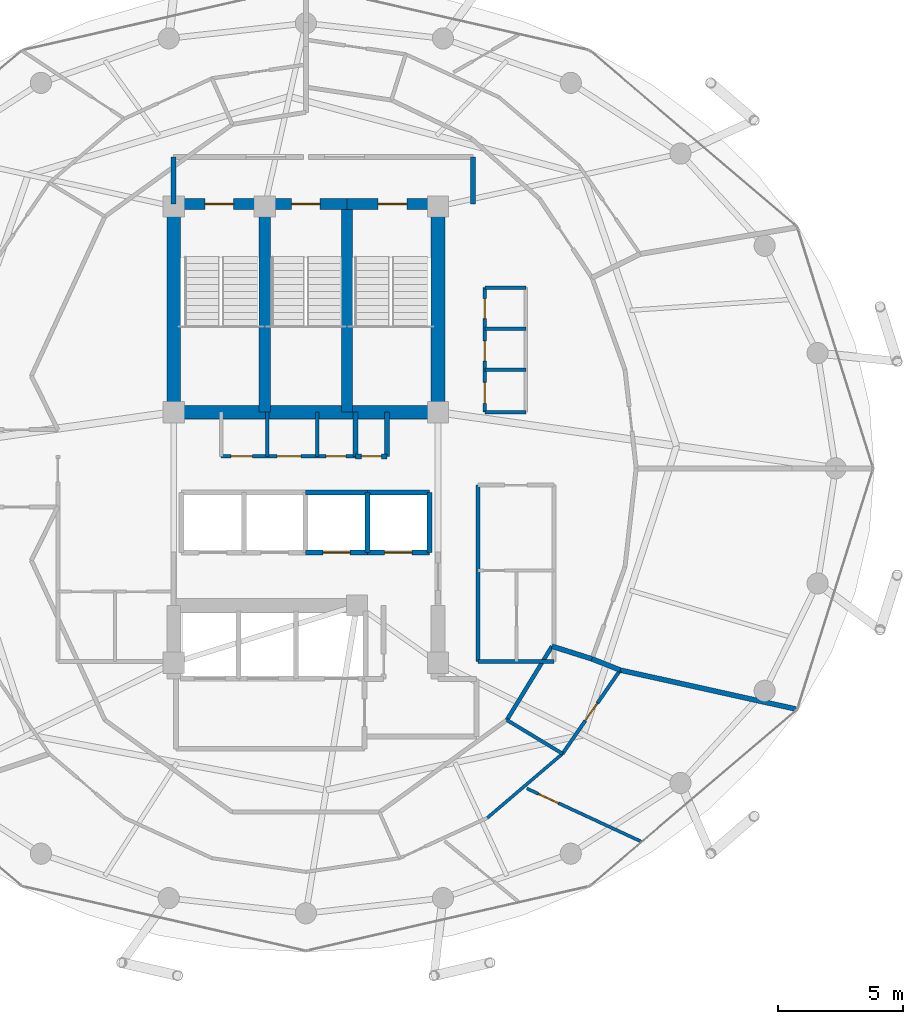
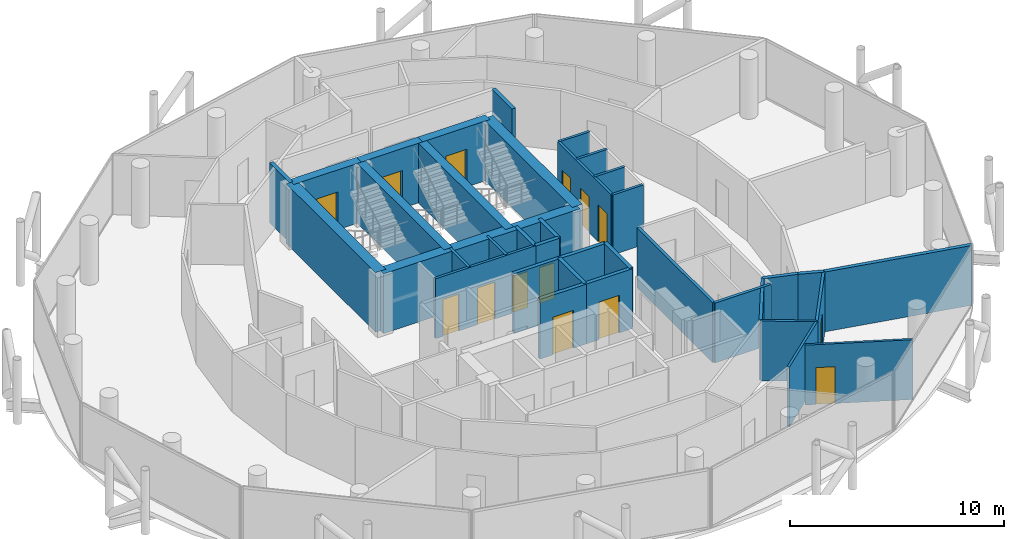
# One storey, part 24 of 27: 37 walls, 14 doors, 14 openings.
"""IFC4 building model written with IfcOpenShell, lengths in metres."""

from ifc_helpers import new_model, si_unit, direction, frame, frame_2d, origin, place, context, subcontext, project, spatial, rectangle, extrude, material, layer, layer_set, type_object, element, fill, save


model = new_model("IFC4")

# Units and contexts
model_context = context("Model", 3, precision=1e-05, world=origin(), true_north=direction((0.0, 1.0)))
body_context = subcontext(model_context, "Body", "Model", "MODEL_VIEW")
ifc_project = project(units=[si_unit("LENGTHUNIT", "METRE"), si_unit("AREAUNIT", "SQUARE_METRE"), si_unit("VOLUMEUNIT", "CUBIC_METRE"), si_unit("PLANEANGLEUNIT", "RADIAN"), si_unit("MASSUNIT", "GRAM", prefix="KILO")], contexts=[model_context])

# Site, building, storey
site_placement = place(None, origin())
site = spatial("IfcSite", under=ifc_project, at=site_placement, CompositionType="ELEMENT")
building_placement = place(site_placement, origin())
building = spatial("IfcBuilding", under=site, at=building_placement, Name="Nuhasar Tower", CompositionType="ELEMENT")
storey_placement = place(building_placement, frame((0.0, 0.0, 237.35009765625)))
storey = spatial("IfcBuildingStorey", under=building, at=storey_placement, Name="L58", CompositionType="ELEMENT", Elevation=237.35009765625)

# Wall, opening, door
ifc_material_1 = material(Name="Concrete C50/60", Category="concrete")
ifc_layer_1 = layer(ifc_material_1, 0.449951171875)
ifc_layer_set_1 = layer_set([ifc_layer_1], Name="Concrete C50/60")
wall_type_1 = type_object("IfcWallType", Name="WL-CORE-450", PredefinedType="SHEAR", material=ifc_layer_set_1)
wall_1_placement = place(storey_placement, frame((37.35009765625, 37.39990234375, 0.0), z_axis=(0.0, 0.0, 1.0), x_axis=(-1.0, 0.0, 0.0)))
wall_1 = element("IfcWall", 1, at=wall_1_placement, inside=storey, type_object=wall_type_1, Name="L58 Stairwell Shear Wall ST01-N", PredefinedType="SHEAR", context=body_context, shape_type="SweptSolid", body=[
    extrude(rectangle(XDim=3.650146484375, YDim=0.449951171875, at=frame_2d((1.8251953125, 0.0))), origin(), (0.0, 0.0, 1.0), 3.409912109375),
])
opening_1_placement = place(wall_1_placement, frame((1.25, 0.0, 0.0)))
opening_1 = element("IfcOpeningElement", 2, at=opening_1_placement, cuts=wall_1, Name="Opening DS-01", PredefinedType="OPENING", context=body_context, shape_type="SweptSolid", body=[
    extrude(rectangle(XDim=1.14990234375, YDim=2.14990234375, at=frame_2d((0.574951171875, 1.074951171875))), frame((0.0, 0.23486328125, 0.0), z_axis=(0.0, -1.0, 0.0), x_axis=(1.0, 0.0, 0.0)), (0.0, 0.0, 1.0), 0.469970703125),
])
ifc_material_2 = material(Name="Steel S355", Category="steel")
door_type_1 = type_object("IfcDoorType", Name="DR-STAIR-FD120-1150", OperationType="NOTDEFINED", PredefinedType="DOOR", material=ifc_material_2)
door_1_placement = place(opening_1_placement, origin())
door_1 = element("IfcDoor", 3, at=door_1_placement, inside=storey, type_object=door_type_1, Name="L58 Exit Stair ST-01 Door", OperationType="SINGLE_SWING_RIGHT", OverallHeight=2.14990234375, OverallWidth=1.14990234375, PredefinedType="DOOR", context=body_context, shape_type="SweptSolid", body=[
    extrude(rectangle(XDim=1.14990234375, YDim=2.14990234375, at=frame_2d((0.574951171875, 1.074951171875))), frame((0.0, 0.02490234375, 0.0), z_axis=(0.0, -1.0, 0.0), x_axis=(1.0, 0.0, 0.0)), (0.0, 0.0, 1.0), 0.050048828125),
])
fill(opening_1, door_1)

# Wall
wall_2_placement = place(storey_placement, frame((37.35009765625, 29.050048828125, 0.0), z_axis=(0.0, 0.0, 1.0), x_axis=(0.0, 1.0, 0.0)))
element("IfcWall", 4, at=wall_2_placement, inside=storey, type_object=wall_type_1, Name="L58 Stairwell Shear Wall ST01-E", PredefinedType="SHEAR", context=body_context, shape_type="SweptSolid", body=[
    extrude(rectangle(XDim=8.349853515625, YDim=0.449951171875, at=frame_2d((4.1748046875, 0.0))), origin(), (0.0, 0.0, 1.0), 3.409912109375),
])

# Wall, opening, door
wall_3_placement = place(storey_placement, frame((40.64990234375, 37.39990234375, 0.0), z_axis=(0.0, 0.0, 1.0), x_axis=(-1.0, 0.0, 0.0)))
wall_3 = element("IfcWall", 5, at=wall_3_placement, inside=storey, type_object=wall_type_1, Name="L58 Stairwell Shear Wall ST03-N", PredefinedType="SHEAR", context=body_context, shape_type="SweptSolid", body=[
    extrude(rectangle(XDim=3.2998046875, YDim=0.449951171875, at=frame_2d((1.64990234375, 0.0))), origin(), (0.0, 0.0, 1.0), 3.409912109375),
])
opening_2_placement = place(wall_3_placement, frame((1.074951171875, 0.0, 0.0)))
opening_2 = element("IfcOpeningElement", 6, at=opening_2_placement, cuts=wall_3, Name="Opening DS-01", PredefinedType="OPENING", context=body_context, shape_type="SweptSolid", body=[
    extrude(rectangle(XDim=1.14990234375, YDim=2.14990234375, at=frame_2d((0.574951171875, 1.074951171875))), frame((0.0, 0.23486328125, 0.0), z_axis=(0.0, -1.0, 0.0), x_axis=(1.0, 0.0, 0.0)), (0.0, 0.0, 1.0), 0.469970703125),
])
door_2_placement = place(opening_2_placement, origin())
door_2 = element("IfcDoor", 7, at=door_2_placement, inside=storey, type_object=door_type_1, Name="L58 Exit Stair ST-03 Door", OperationType="SINGLE_SWING_RIGHT", OverallHeight=2.14990234375, OverallWidth=1.14990234375, PredefinedType="DOOR", context=body_context, shape_type="SweptSolid", body=[
    extrude(rectangle(XDim=1.14990234375, YDim=2.14990234375, at=frame_2d((0.574951171875, 1.074951171875))), frame((0.0, 0.02490234375, 0.0), z_axis=(0.0, -1.0, 0.0), x_axis=(1.0, 0.0, 0.0)), (0.0, 0.0, 1.0), 0.050048828125),
])
fill(opening_2, door_2)

# Wall
wall_4_placement = place(storey_placement, frame((40.64990234375, 29.050048828125, 0.0), z_axis=(0.0, 0.0, 1.0), x_axis=(0.0, 1.0, 0.0)))
element("IfcWall", 8, at=wall_4_placement, inside=storey, type_object=wall_type_1, Name="L58 Stairwell Shear Wall ST03-E", PredefinedType="SHEAR", context=body_context, shape_type="SweptSolid", body=[
    extrude(rectangle(XDim=8.349853515625, YDim=0.449951171875, at=frame_2d((4.1748046875, 0.0))), origin(), (0.0, 0.0, 1.0), 3.409912109375),
])

# Wall, opening, door
wall_5_placement = place(storey_placement, frame((44.300048828125, 37.39990234375, 0.0), z_axis=(0.0, 0.0, 1.0), x_axis=(-1.0, 0.0, 0.0)))
wall_5 = element("IfcWall", 9, at=wall_5_placement, inside=storey, type_object=wall_type_1, Name="L58 Stairwell Shear Wall ST02-N", PredefinedType="SHEAR", context=body_context, shape_type="SweptSolid", body=[
    extrude(rectangle(XDim=3.650146484375, YDim=0.449951171875, at=frame_2d((1.8251953125, 0.0))), origin(), (0.0, 0.0, 1.0), 3.409912109375),
])
opening_3_placement = place(wall_5_placement, frame((1.25, 0.0, 0.0)))
opening_3 = element("IfcOpeningElement", 10, at=opening_3_placement, cuts=wall_5, Name="Opening DS-01", PredefinedType="OPENING", context=body_context, shape_type="SweptSolid", body=[
    extrude(rectangle(XDim=1.14990234375, YDim=2.14990234375, at=frame_2d((0.574951171875, 1.074951171875))), frame((0.0, 0.23486328125, 0.0), z_axis=(0.0, -1.0, 0.0), x_axis=(1.0, 0.0, 0.0)), (0.0, 0.0, 1.0), 0.469970703125),
])
door_3_placement = place(opening_3_placement, origin())
door_3 = element("IfcDoor", 11, at=door_3_placement, inside=storey, type_object=door_type_1, Name="L58 Exit Stair ST-02 Door", OperationType="SINGLE_SWING_LEFT", OverallHeight=2.14990234375, OverallWidth=1.14990234375, PredefinedType="DOOR", context=body_context, shape_type="SweptSolid", body=[
    extrude(rectangle(XDim=1.14990234375, YDim=2.14990234375, at=frame_2d((0.574951171875, 1.074951171875))), frame((0.0, 0.02490234375, 0.0), z_axis=(0.0, -1.0, 0.0), x_axis=(1.0, 0.0, 0.0)), (0.0, 0.0, 1.0), 0.050048828125),
])
fill(opening_3, door_3)

# Walls
ifc_material_3 = material(Name="Concrete C55/67", Category="concrete")
ifc_layer_2 = layer(ifc_material_3, 0.550048828125)
ifc_layer_set_2 = layer_set([ifc_layer_2], Name="Concrete C55/67")
wall_type_2 = type_object("IfcWallType", Name="WL-CORE-550", PredefinedType="SHEAR", material=ifc_layer_set_2)
for number, where, z_axis, x_axis, name in (
    (12, (33.699951171875, 29.050048828125, 0.0), (0.0, 0.0, 1.0), (0.0, 1.0, 0.0), "L58 Core Shear Wall CW-NW CW-550"),
    (13, (44.300048828125, 29.050048828125, 0.0), (0.0, 0.0, 1.0), (0.0, 1.0, 0.0), "L58 Core Shear Wall CW-NE CW-550"),
):
    element("IfcWall", number, at=place(storey_placement, frame(where, z_axis=z_axis, x_axis=x_axis)), inside=storey, type_object=wall_type_2, Name=name, PredefinedType="SHEAR", context=body_context, shape_type="SweptSolid", body=[
        extrude(rectangle(XDim=8.349853515625, YDim=0.550048828125, at=frame_2d((4.1748046875, 0.0))), origin(), (0.0, 0.0, 1.0), 3.409912109375),
    ])
wall_6_placement = place(storey_placement, frame((33.699951171875, 29.050048828125, 0.0), z_axis=(0.0, 0.0, 1.0), x_axis=(1.0, 0.0, 0.0)))
element("IfcWall", 14, at=wall_6_placement, inside=storey, type_object=wall_type_2, Name="L58 Core Shear Wall CW-N1 CW-550", PredefinedType="SHEAR", context=body_context, shape_type="SweptSolid", body=[
    extrude(rectangle(XDim=10.60009765625, YDim=0.550048828125, at=frame_2d((5.300048828125, 0.0))), origin(), (0.0, 0.0, 1.0), 3.409912109375),
])
ifc_material_4 = material(Name="Gypsum Board", Category="gypsum")
ifc_layer_3 = layer(ifc_material_4, 0.159912109375)
ifc_layer_set_3 = layer_set([ifc_layer_3], Name="Gypsum Board")
wall_type_3 = type_object("IfcWallType", Name="WL-CORR-160", PredefinedType="PARTITIONING", material=ifc_layer_set_3)
wall_7_placement = place(storey_placement, frame((45.89990234375, 19.050048828125, 0.0), z_axis=(0.0, 0.0, 1.0), x_axis=(1.0, 0.0, 0.0)))
element("IfcWall", 15, at=wall_7_placement, inside=storey, type_object=wall_type_3, Name="L58 Interior Partition RECL-B2-S", PredefinedType="PARTITIONING", context=body_context, shape_type="SweptSolid", body=[
    extrude(rectangle(XDim=3.050048828125, YDim=0.159912109375, at=frame_2d((1.52490234375, 0.0))), origin(), (0.0, 0.0, 1.0), 3.409912109375),
])
wall_8_placement = place(storey_placement, frame((45.89990234375, 19.050048828125, 0.0), z_axis=(0.0, 0.0, 1.0), x_axis=(0.0, 1.0, 0.0)))
element("IfcWall", 16, at=wall_8_placement, inside=storey, type_object=wall_type_3, Name="L58 Interior Partition RECL-B2-W", PredefinedType="PARTITIONING", context=body_context, shape_type="SweptSolid", body=[
    extrude(rectangle(XDim=7.070068359375, YDim=0.159912109375, at=frame_2d((3.53515625, 0.0))), origin(), (0.0, 0.0, 1.0), 3.409912109375),
])
wall_9_placement = place(storey_placement, frame((47.06103515625, 16.702880859375, 0.0), z_axis=(0.0, 0.0, 1.0), x_axis=(0.522486120877, 0.852647789823, 0.0)))
element("IfcWall", 17, at=wall_9_placement, inside=storey, type_object=wall_type_3, Name="L58 Interior Partition UWEST-CORE-S2-42", PredefinedType="PARTITIONING", context=body_context, shape_type="SweptSolid", body=[
    extrude(rectangle(XDim=3.468017578125, YDim=0.159912109375, at=frame_2d((1.73388671875, 0.0))), origin(), (0.0, 0.0, 1.0), 3.409912109375),
])
ifc_material_5 = material(Name="Concrete C45/55", Category="concrete")
ifc_layer_4 = layer(ifc_material_5, 0.199951171875)
ifc_layer_set_4 = layer_set([ifc_layer_4], Name="Concrete C45/55")
wall_type_4 = type_object("IfcWallType", Name="WL-LOBBY-200", PredefinedType="SOLIDWALL", material=ifc_layer_set_4)
for number, where, z_axis, x_axis, name in (
    (18, (33.699951171875, 37.39990234375, 0.0), (0.0, 0.0, 1.0), (0.0, 1.0, 0.0), "L58 Interior Partition NSL-W"),
    (19, (45.699951171875, 37.39990234375, 0.0), (0.0, 0.0, 1.0), (0.0, 1.0, 0.0), "L58 Interior Partition NSL-E"),
):
    element("IfcWall", number, at=place(storey_placement, frame(where, z_axis=z_axis, x_axis=x_axis)), inside=storey, type_object=wall_type_4, Name=name, PredefinedType="SOLIDWALL", context=body_context, shape_type="SweptSolid", body=[
        extrude(rectangle(XDim=1.880126953125, YDim=0.199951171875, at=frame_2d((0.93994140625, 0.0))), origin(), (0.0, 0.0, 1.0), 3.409912109375),
    ])
ifc_layer_5 = layer(ifc_material_4, 0.125)
ifc_layer_set_5 = layer_set([ifc_layer_5], Name="Gypsum Board")
wall_type_5 = type_object("IfcWallType", Name="WL-PART-125", PredefinedType="PARTITIONING", material=ifc_layer_set_5)
wall_10_placement = place(storey_placement, frame((46.280029296875, 12.779052734375, 0.0), z_axis=(0.0, 0.0, 1.0), x_axis=(0.760650552049, 0.64916156515, 0.0)))
element("IfcWall", 20, at=wall_10_placement, inside=storey, type_object=wall_type_5, Name="L58 Interior Partition USM-2-K-40", PredefinedType="PARTITIONING", context=body_context, shape_type="SweptSolid", body=[
    extrude(rectangle(XDim=3.963623046875, YDim=0.125, at=frame_2d((1.98193359375, 0.0))), origin(), (0.0, 0.0, 1.0), 3.409912109375),
])

# Wall, opening, door
wall_11_placement = place(storey_placement, frame((47.864013671875, 13.9560546875, 0.0), z_axis=(0.0, 0.0, 1.0), x_axis=(0.907116504573, -0.420879611209, 0.0)))
wall_11 = element("IfcWall", 21, at=wall_11_placement, inside=storey, type_object=wall_type_5, Name="L58 Interior Partition USO-2-B2", PredefinedType="PARTITIONING", context=body_context, shape_type="SweptSolid", body=[
    extrude(rectangle(XDim=5.046630859375, YDim=0.125, at=frame_2d((2.5234375, 0.0))), origin(), (0.0, 0.0, 1.0), 3.409912109375),
])
opening_4_placement = place(wall_11_placement, frame((0.50390625, 0.0, 0.0)))
opening_4 = element("IfcOpeningElement", 22, at=opening_4_placement, cuts=wall_11, Name="Opening DR-01", PredefinedType="OPENING", context=body_context, shape_type="SweptSolid", body=[
    extrude(rectangle(XDim=0.89990234375, YDim=2.10009765625, at=frame_2d((0.449951171875, 1.050048828125))), frame((0.0, 0.072509765625, 0.0), z_axis=(0.0, -1.0, 0.0), x_axis=(1.0, 0.0, 0.0)), (0.0, 0.0, 1.0), 0.14501953125),
])
ifc_material_6 = material(Name="Timber Oak", Category="wood")
door_type_2 = type_object("IfcDoorType", Name="DR-ROOM-900", OperationType="NOTDEFINED", PredefinedType="DOOR", material=ifc_material_6)
door_4_placement = place(opening_4_placement, origin())
door_4 = element("IfcDoor", 23, at=door_4_placement, inside=storey, type_object=door_type_2, Name="L58 South-West Sky Home Master Bedroom Door", OperationType="SINGLE_SWING_LEFT", OverallHeight=2.10009765625, OverallWidth=0.89990234375, PredefinedType="DOOR", context=body_context, shape_type="SweptSolid", body=[
    extrude(rectangle(XDim=0.89990234375, YDim=2.10009765625, at=frame_2d((0.449951171875, 1.050048828125))), frame((0.0, 0.02490234375, 0.0), z_axis=(0.0, -1.0, 0.0), x_axis=(1.0, 0.0, 0.0)), (0.0, 0.0, 1.0), 0.050048828125),
])
fill(opening_4, door_4)

# Walls
ifc_layer_6 = layer(ifc_material_5, 0.199951171875)
ifc_layer_set_6 = layer_set([ifc_layer_6], Name="Concrete C45/55")
wall_type_6 = type_object("IfcWallType", Name="WL-SHAFT-200", PredefinedType="SOLIDWALL", material=ifc_layer_set_6)
for number, where, z_axis, x_axis, name in (
    (24, (41.0, 27.280029296875, 0.0), (0.0, 0.0, 1.0), (0.0, 1.0, 0.0), "L58 Interior Partition RSRN-W"),
    (25, (42.260009765625, 27.280029296875, 0.0), (0.0, 0.0, 1.0), (0.0, 1.0, 0.0), "L58 Interior Partition RSRN-E"),
):
    element("IfcWall", number, at=place(storey_placement, frame(where, z_axis=z_axis, x_axis=x_axis)), inside=storey, type_object=wall_type_6, Name=name, PredefinedType="SOLIDWALL", context=body_context, shape_type="SweptSolid", body=[
        extrude(rectangle(XDim=1.77001953125, YDim=0.199951171875, at=frame_2d((0.885009765625, 0.0))), origin(), (0.0, 0.0, 1.0), 3.409912109375),
    ])

# Wall, opening, door
wall_12_placement = place(storey_placement, frame((41.0, 27.280029296875, 0.0), z_axis=(0.0, 0.0, 1.0), x_axis=(1.0, 0.0, 0.0)))
wall_12 = element("IfcWall", 26, at=wall_12_placement, inside=storey, type_object=wall_type_6, Name="L58 Interior Partition RSRN-S", PredefinedType="SOLIDWALL", context=body_context, shape_type="SweptSolid", body=[
    extrude(rectangle(XDim=1.260009765625, YDim=0.199951171875, at=frame_2d((0.6298828125, 0.0))), origin(), (0.0, 0.0, 1.0), 3.409912109375),
])
opening_5_placement = place(wall_12_placement, frame((0.22998046875, 0.0, 0.0)))
opening_5 = element("IfcOpeningElement", 27, at=opening_5_placement, cuts=wall_12, Name="Opening DM-01", PredefinedType="OPENING", context=body_context, shape_type="SweptSolid", body=[
    extrude(rectangle(XDim=0.800048828125, YDim=2.050048828125, at=frame_2d((0.39990234375, 1.02490234375))), frame((0.0, 0.10986328125, 0.0), z_axis=(0.0, -1.0, 0.0), x_axis=(1.0, 0.0, 0.0)), (0.0, 0.0, 1.0), 0.219970703125),
])
door_type_3 = type_object("IfcDoorType", Name="DR-RISER-FD60-800", OperationType="NOTDEFINED", PredefinedType="DOOR", material=ifc_material_2)
door_5_placement = place(opening_5_placement, origin())
door_5 = element("IfcDoor", 28, at=door_5_placement, inside=storey, type_object=door_type_3, Name="L58 North Smoke Riser Door", OperationType="SINGLE_SWING_RIGHT", OverallHeight=2.050048828125, OverallWidth=0.800048828125, PredefinedType="DOOR", context=body_context, shape_type="SweptSolid", body=[
    extrude(rectangle(XDim=0.800048828125, YDim=2.050048828125, at=frame_2d((0.39990234375, 1.02490234375))), frame((0.0, 0.02490234375, 0.0), z_axis=(0.0, -1.0, 0.0), x_axis=(1.0, 0.0, 0.0)), (0.0, 0.0, 1.0), 0.050048828125),
])
fill(opening_5, door_5)

wall_13_placement = place(storey_placement, frame((38.97998046875, 23.419921875, 0.0), z_axis=(0.0, 0.0, 1.0), x_axis=(1.0, 0.0, 0.0)))
wall_13 = element("IfcWall", 29, at=wall_13_placement, inside=storey, type_object=wall_type_6, Name="L58 Interior Partition SHF-PL-H03-S", PredefinedType="SOLIDWALL", context=body_context, shape_type="SweptSolid", body=[
    extrude(rectangle(XDim=2.5, YDim=0.199951171875, at=frame_2d((1.25, 0.0))), origin(), (0.0, 0.0, 1.0), 3.409912109375),
])
opening_6_placement = place(wall_13_placement, frame((0.699951171875, 0.0, 0.0)))
opening_6 = element("IfcOpeningElement", 30, at=opening_6_placement, cuts=wall_13, Name="Opening LD-H03", PredefinedType="OPENING", context=body_context, shape_type="SweptSolid", body=[
    extrude(rectangle(XDim=1.10009765625, YDim=2.14990234375, at=frame_2d((0.550048828125, 1.074951171875))), frame((0.0, 0.10986328125, 0.0), z_axis=(0.0, -1.0, 0.0), x_axis=(1.0, 0.0, 0.0)), (0.0, 0.0, 1.0), 0.219970703125),
])
ifc_material_7 = material(Name="Stainless Steel 316L", Category="steel")
door_type_4 = type_object("IfcDoorType", Name="LD-PAX-1100", OperationType="DOUBLE_DOOR_SLIDING", PredefinedType="DOOR", material=ifc_material_7)
door_6_placement = place(opening_6_placement, origin())
door_6 = element("IfcDoor", 31, at=door_6_placement, inside=storey, type_object=door_type_4, Name="L58 Lift Landing Door PL-H03", OperationType="DOUBLE_DOOR_SLIDING", OverallHeight=2.14990234375, OverallWidth=1.10009765625, PredefinedType="DOOR", context=body_context, shape_type="SweptSolid", body=[
    extrude(rectangle(XDim=1.10009765625, YDim=2.14990234375, at=frame_2d((0.550048828125, 1.074951171875))), frame((0.0, 0.02490234375, 0.0), z_axis=(0.0, -1.0, 0.0), x_axis=(1.0, 0.0, 0.0)), (0.0, 0.0, 1.0), 0.050048828125),
])
fill(opening_6, door_6)

# Walls
wall_14_placement = place(storey_placement, frame((38.97998046875, 25.830078125, 0.0), z_axis=(0.0, 0.0, 1.0), x_axis=(1.0, 0.0, 0.0)))
element("IfcWall", 32, at=wall_14_placement, inside=storey, type_object=wall_type_6, Name="L58 Interior Partition SHF-PL-H03-N", PredefinedType="SOLIDWALL", context=body_context, shape_type="SweptSolid", body=[
    extrude(rectangle(XDim=2.5, YDim=0.199951171875, at=frame_2d((1.25, 0.0))), origin(), (0.0, 0.0, 1.0), 3.409912109375),
])
wall_15_placement = place(storey_placement, frame((41.469970703125, 23.419921875, 0.0), z_axis=(0.0, 0.0, 1.0), x_axis=(0.0, 1.0, 0.0)))
element("IfcWall", 33, at=wall_15_placement, inside=storey, type_object=wall_type_6, Name="L58 Interior Partition SHF-PL-H03-E", PredefinedType="SOLIDWALL", context=body_context, shape_type="SweptSolid", body=[
    extrude(rectangle(XDim=2.41015625, YDim=0.199951171875, at=frame_2d((1.205078125, 0.0))), origin(), (0.0, 0.0, 1.0), 3.409912109375),
])

# Wall, opening, door
wall_16_placement = place(storey_placement, frame((41.4599609375, 23.419921875, 0.0), z_axis=(0.0, 0.0, 1.0), x_axis=(1.0, 0.0, 0.0)))
wall_16 = element("IfcWall", 34, at=wall_16_placement, inside=storey, type_object=wall_type_6, Name="L58 Interior Partition SHF-PL-H04-S", PredefinedType="SOLIDWALL", context=body_context, shape_type="SweptSolid", body=[
    extrude(rectangle(XDim=2.5, YDim=0.199951171875, at=frame_2d((1.25, 0.0))), origin(), (0.0, 0.0, 1.0), 3.409912109375),
])
opening_7_placement = place(wall_16_placement, frame((0.699951171875, 0.0, 0.0)))
opening_7 = element("IfcOpeningElement", 35, at=opening_7_placement, cuts=wall_16, Name="Opening LD-H04", PredefinedType="OPENING", context=body_context, shape_type="SweptSolid", body=[
    extrude(rectangle(XDim=1.10009765625, YDim=2.14990234375, at=frame_2d((0.550048828125, 1.074951171875))), frame((0.0, 0.10986328125, 0.0), z_axis=(0.0, -1.0, 0.0), x_axis=(1.0, 0.0, 0.0)), (0.0, 0.0, 1.0), 0.219970703125),
])
door_7_placement = place(opening_7_placement, origin())
door_7 = element("IfcDoor", 36, at=door_7_placement, inside=storey, type_object=door_type_4, Name="L58 Lift Landing Door PL-H04", OperationType="DOUBLE_DOOR_SLIDING", OverallHeight=2.14990234375, OverallWidth=1.10009765625, PredefinedType="DOOR", context=body_context, shape_type="SweptSolid", body=[
    extrude(rectangle(XDim=1.10009765625, YDim=2.14990234375, at=frame_2d((0.550048828125, 1.074951171875))), frame((0.0, 0.02490234375, 0.0), z_axis=(0.0, -1.0, 0.0), x_axis=(1.0, 0.0, 0.0)), (0.0, 0.0, 1.0), 0.050048828125),
])
fill(opening_7, door_7)

# Walls
wall_17_placement = place(storey_placement, frame((41.4599609375, 25.830078125, 0.0), z_axis=(0.0, 0.0, 1.0), x_axis=(1.0, 0.0, 0.0)))
element("IfcWall", 37, at=wall_17_placement, inside=storey, type_object=wall_type_6, Name="L58 Interior Partition SHF-PL-H04-N", PredefinedType="SOLIDWALL", context=body_context, shape_type="SweptSolid", body=[
    extrude(rectangle(XDim=2.5, YDim=0.199951171875, at=frame_2d((1.25, 0.0))), origin(), (0.0, 0.0, 1.0), 3.409912109375),
])
wall_18_placement = place(storey_placement, frame((43.9599609375, 23.419921875, 0.0), z_axis=(0.0, 0.0, 1.0), x_axis=(0.0, 1.0, 0.0)))
element("IfcWall", 38, at=wall_18_placement, inside=storey, type_object=wall_type_6, Name="L58 Interior Partition SHF-PL-H04-E", PredefinedType="SOLIDWALL", context=body_context, shape_type="SweptSolid", body=[
    extrude(rectangle(XDim=2.41015625, YDim=0.199951171875, at=frame_2d((1.205078125, 0.0))), origin(), (0.0, 0.0, 1.0), 3.409912109375),
])
ifc_material_8 = material(Name="Concrete C40/50 precast", Category="concrete")
ifc_layer_7 = layer(ifc_material_8, 0.199951171875)
ifc_layer_set_7 = layer_set([ifc_layer_7], Name="Concrete C40/50 precast")
wall_type_7 = type_object("IfcWallType", Name="WL-UNIT-200", PredefinedType="PARTITIONING", material=ifc_layer_set_7)
wall_19_placement = place(storey_placement, frame((48.873046875, 19.659912109375, 0.0), z_axis=(0.0, 0.0, 1.0), x_axis=(0.953758235549, -0.30057482949, 0.0)))
element("IfcWall", 39, at=wall_19_placement, inside=storey, type_object=wall_type_7, Name="L58 Interior Partition URAD-44-SW-S1", PredefinedType="PARTITIONING", context=body_context, shape_type="SweptSolid", body=[
    extrude(rectangle(XDim=1.6796875, YDim=0.199951171875, at=frame_2d((0.83984375, 0.0))), origin(), (0.0, 0.0, 1.0), 3.409912109375),
])
wall_20_placement = place(storey_placement, frame((50.47509765625, 19.155029296875, 0.0), z_axis=(0.0, 0.0, 1.0), x_axis=(0.929480908275, -0.368870222642, 0.0)))
element("IfcWall", 40, at=wall_20_placement, inside=storey, type_object=wall_type_7, Name="L58 Interior Partition URAD-44-SW-S2", PredefinedType="PARTITIONING", context=body_context, shape_type="SweptSolid", body=[
    extrude(rectangle(XDim=1.2197265625, YDim=0.199951171875, at=frame_2d((0.60986328125, 0.0))), origin(), (0.0, 0.0, 1.0), 3.409912109375),
])
wall_21_placement = place(storey_placement, frame((51.60888671875, 18.705078125, 0.0), z_axis=(0.0, 0.0, 1.0), x_axis=(0.976281349857, -0.216505717989, 0.0)))
element("IfcWall", 41, at=wall_21_placement, inside=storey, type_object=wall_type_7, Name="L58 Interior Partition URAD-44-SW-S3", PredefinedType="PARTITIONING", context=body_context, shape_type="SweptSolid", body=[
    extrude(rectangle(XDim=7.242919921875, YDim=0.199951171875, at=frame_2d((3.62158203125, 0.0))), origin(), (0.0, 0.0, 1.0), 3.409912109375),
])

# Wall, openings, doors
ifc_layer_8 = layer(ifc_material_8, 0.139892578125)
ifc_layer_set_8 = layer_set([ifc_layer_8], Name="Concrete C40/50 precast")
wall_type_8 = type_object("IfcWallType", Name="WL-WET-140", PredefinedType="PARTITIONING", material=ifc_layer_set_8)
wall_22_placement = place(storey_placement, frame((35.60009765625, 27.280029296875, 0.0), z_axis=(0.0, 0.0, 1.0), x_axis=(1.0, 0.0, 0.0)))
wall_22 = element("IfcWall", 42, at=wall_22_placement, inside=storey, type_object=wall_type_8, Name="L58 Interior Partition CSVC-S", PredefinedType="PARTITIONING", context=body_context, shape_type="SweptSolid", body=[
    extrude(rectangle(XDim=5.39990234375, YDim=0.139892578125, at=frame_2d((2.699951171875, 0.0))), origin(), (0.0, 0.0, 1.0), 3.409912109375),
])
opening_8_placement = place(wall_22_placement, frame((0.39990234375, 0.0, 0.0)))
opening_8 = element("IfcOpeningElement", 43, at=opening_8_placement, cuts=wall_22, Name="Opening DB-01", PredefinedType="OPENING", context=body_context, shape_type="SweptSolid", body=[
    extrude(rectangle(XDim=0.85009765625, YDim=2.10009765625, at=frame_2d((0.425048828125, 1.050048828125))), frame((0.0, 0.080078125, 0.0), z_axis=(0.0, -1.0, 0.0), x_axis=(1.0, 0.0, 0.0)), (0.0, 0.0, 1.0), 0.159912109375),
])
opening_9_placement = place(wall_22_placement, frame((2.25, 0.0, 0.0)))
opening_9 = element("IfcOpeningElement", 44, at=opening_9_placement, cuts=wall_22, Name="Opening DA-01", PredefinedType="OPENING", context=body_context, shape_type="SweptSolid", body=[
    extrude(rectangle(XDim=0.949951171875, YDim=2.10009765625, at=frame_2d((0.47509765625, 1.050048828125))), frame((0.0, 0.080078125, 0.0), z_axis=(0.0, -1.0, 0.0), x_axis=(1.0, 0.0, 0.0)), (0.0, 0.0, 1.0), 0.159912109375),
])
opening_10_placement = place(wall_22_placement, frame((4.199951171875, 0.0, 0.0)))
opening_10 = element("IfcOpeningElement", 45, at=opening_10_placement, cuts=wall_22, Name="Opening DM-01", PredefinedType="OPENING", context=body_context, shape_type="SweptSolid", body=[
    extrude(rectangle(XDim=0.800048828125, YDim=2.050048828125, at=frame_2d((0.39990234375, 1.02490234375))), frame((0.0, 0.080078125, 0.0), z_axis=(0.0, -1.0, 0.0), x_axis=(1.0, 0.0, 0.0)), (0.0, 0.0, 1.0), 0.159912109375),
])
door_type_5 = type_object("IfcDoorType", Name="DR-ACCWC-950", OperationType="NOTDEFINED", PredefinedType="DOOR", material=ifc_material_6)
door_8_placement = place(opening_9_placement, origin())
door_8 = element("IfcDoor", 46, at=door_8_placement, inside=storey, type_object=door_type_5, Name="L58 Core Accessible WC Door", OperationType="SINGLE_SWING_RIGHT", OverallHeight=2.10009765625, OverallWidth=0.949951171875, PredefinedType="DOOR", context=body_context, shape_type="SweptSolid", body=[
    extrude(rectangle(XDim=0.949951171875, YDim=2.10009765625, at=frame_2d((0.47509765625, 1.050048828125))), frame((0.0, 0.02490234375, 0.0), z_axis=(0.0, -1.0, 0.0), x_axis=(1.0, 0.0, 0.0)), (0.0, 0.0, 1.0), 0.050048828125),
])
fill(opening_9, door_8)
door_type_6 = type_object("IfcDoorType", Name="DR-BATH-850", OperationType="NOTDEFINED", PredefinedType="DOOR", material=ifc_material_6)
door_9_placement = place(opening_8_placement, origin())
door_9 = element("IfcDoor", 47, at=door_9_placement, inside=storey, type_object=door_type_6, Name="L58 Core Male WC Door", OperationType="SINGLE_SWING_LEFT", OverallHeight=2.10009765625, OverallWidth=0.85009765625, PredefinedType="DOOR", context=body_context, shape_type="SweptSolid", body=[
    extrude(rectangle(XDim=0.85009765625, YDim=2.10009765625, at=frame_2d((0.425048828125, 1.050048828125))), frame((0.0, 0.02490234375, 0.0), z_axis=(0.0, -1.0, 0.0), x_axis=(1.0, 0.0, 0.0)), (0.0, 0.0, 1.0), 0.050048828125),
])
fill(opening_8, door_9)
door_10_placement = place(opening_10_placement, origin())
door_10 = element("IfcDoor", 48, at=door_10_placement, inside=storey, type_object=door_type_3, Name="L58 Core Janitor Door", OperationType="SINGLE_SWING_RIGHT", OverallHeight=2.050048828125, OverallWidth=0.800048828125, PredefinedType="DOOR", context=body_context, shape_type="SweptSolid", body=[
    extrude(rectangle(XDim=0.800048828125, YDim=2.050048828125, at=frame_2d((0.39990234375, 1.02490234375))), frame((0.0, 0.02490234375, 0.0), z_axis=(0.0, -1.0, 0.0), x_axis=(1.0, 0.0, 0.0)), (0.0, 0.0, 1.0), 0.050048828125),
])
fill(opening_10, door_10)

# Walls
for number, where, z_axis, x_axis, name in (
    (49, (37.449951171875, 27.280029296875, 0.0), (0.0, 0.0, 1.0), (0.0, 1.0, 0.0), "L58 Interior Partition K1-P1"),
    (50, (39.449951171875, 27.280029296875, 0.0), (0.0, 0.0, 1.0), (0.0, 1.0, 0.0), "L58 Interior Partition K1-P2"),
):
    element("IfcWall", number, at=place(storey_placement, frame(where, z_axis=z_axis, x_axis=x_axis)), inside=storey, type_object=wall_type_8, Name=name, PredefinedType="PARTITIONING", context=body_context, shape_type="SweptSolid", body=[
        extrude(rectangle(XDim=1.77001953125, YDim=0.139892578125, at=frame_2d((0.885009765625, 0.0))), origin(), (0.0, 0.0, 1.0), 3.409912109375),
    ])

# Wall, openings, doors
wall_23_placement = place(storey_placement, frame((46.179931640625, 34.050048828125, 0.0), z_axis=(0.0, 0.0, 1.0), x_axis=(0.0, -1.0, 0.0)))
wall_23 = element("IfcWall", 51, at=wall_23_placement, inside=storey, type_object=wall_type_8, Name="L58 Interior Partition K1-NE-W", PredefinedType="PARTITIONING", context=body_context, shape_type="SweptSolid", body=[
    extrude(rectangle(XDim=5.0, YDim=0.139892578125, at=frame_2d((2.5, 0.0))), origin(), (0.0, 0.0, 1.0), 3.409912109375),
])
opening_11_placement = place(wall_23_placement, frame((3.800048828125, 0.0, 0.0)))
opening_11 = element("IfcOpeningElement", 52, at=opening_11_placement, cuts=wall_23, Name="Opening DB-01", PredefinedType="OPENING", context=body_context, shape_type="SweptSolid", body=[
    extrude(rectangle(XDim=0.85009765625, YDim=2.10009765625, at=frame_2d((0.425048828125, 1.050048828125))), frame((0.0, 0.080078125, 0.0), z_axis=(0.0, -1.0, 0.0), x_axis=(1.0, 0.0, 0.0)), (0.0, 0.0, 1.0), 0.159912109375),
])
opening_12_placement = place(wall_23_placement, frame((2.14990234375, 0.0, 0.0)))
opening_12 = element("IfcOpeningElement", 53, at=opening_12_placement, cuts=wall_23, Name="Opening DM-01", PredefinedType="OPENING", context=body_context, shape_type="SweptSolid", body=[
    extrude(rectangle(XDim=0.800048828125, YDim=2.050048828125, at=frame_2d((0.39990234375, 1.02490234375))), frame((0.0, 0.080078125, 0.0), z_axis=(0.0, -1.0, 0.0), x_axis=(1.0, 0.0, 0.0)), (0.0, 0.0, 1.0), 0.159912109375),
])
opening_13_placement = place(wall_23_placement, frame((0.449951171875, 0.0, 0.0)))
opening_13 = element("IfcOpeningElement", 54, at=opening_13_placement, cuts=wall_23, Name="Opening DM-01", PredefinedType="OPENING", context=body_context, shape_type="SweptSolid", body=[
    extrude(rectangle(XDim=0.800048828125, YDim=2.050048828125, at=frame_2d((0.39990234375, 1.02490234375))), frame((0.0, 0.080078125, 0.0), z_axis=(0.0, -1.0, 0.0), x_axis=(1.0, 0.0, 0.0)), (0.0, 0.0, 1.0), 0.159912109375),
])
door_11_placement = place(opening_11_placement, origin())
door_11 = element("IfcDoor", 55, at=door_11_placement, inside=storey, type_object=door_type_6, Name="L58 NE Female WC Door", OperationType="SINGLE_SWING_RIGHT", OverallHeight=2.10009765625, OverallWidth=0.85009765625, PredefinedType="DOOR", context=body_context, shape_type="SweptSolid", body=[
    extrude(rectangle(XDim=0.85009765625, YDim=2.10009765625, at=frame_2d((0.425048828125, 1.050048828125))), frame((0.0, 0.02490234375, 0.0), z_axis=(0.0, -1.0, 0.0), x_axis=(1.0, 0.0, 0.0)), (0.0, 0.0, 1.0), 0.050048828125),
])
fill(opening_11, door_11)
door_12_placement = place(opening_12_placement, origin())
door_12 = element("IfcDoor", 56, at=door_12_placement, inside=storey, type_object=door_type_3, Name="L58 NE Meter Door", OperationType="SINGLE_SWING_RIGHT", OverallHeight=2.050048828125, OverallWidth=0.800048828125, PredefinedType="DOOR", context=body_context, shape_type="SweptSolid", body=[
    extrude(rectangle(XDim=0.800048828125, YDim=2.050048828125, at=frame_2d((0.39990234375, 1.02490234375))), frame((0.0, 0.02490234375, 0.0), z_axis=(0.0, -1.0, 0.0), x_axis=(1.0, 0.0, 0.0)), (0.0, 0.0, 1.0), 0.050048828125),
])
fill(opening_12, door_12)
door_13_placement = place(opening_13_placement, origin())
door_13 = element("IfcDoor", 57, at=door_13_placement, inside=storey, type_object=door_type_3, Name="L58 NE Telecom Door", OperationType="SINGLE_SWING_LEFT", OverallHeight=2.050048828125, OverallWidth=0.800048828125, PredefinedType="DOOR", context=body_context, shape_type="SweptSolid", body=[
    extrude(rectangle(XDim=0.800048828125, YDim=2.050048828125, at=frame_2d((0.39990234375, 1.02490234375))), frame((0.0, 0.02490234375, 0.0), z_axis=(0.0, -1.0, 0.0), x_axis=(1.0, 0.0, 0.0)), (0.0, 0.0, 1.0), 0.050048828125),
])
fill(opening_13, door_13)

# Walls
for number, where, z_axis, x_axis, name in (
    (58, (46.179931640625, 29.050048828125, 0.0), (0.0, 0.0, 1.0), (1.0, 0.0, 0.0), "L58 Interior Partition K1-NE-S"),
    (59, (46.179931640625, 30.75, 0.0), (0.0, 0.0, 1.0), (1.0, 0.0, 0.0), "L58 Interior Partition K1-NE-M1"),
    (60, (46.179931640625, 32.39990234375, 0.0), (0.0, 0.0, 1.0), (1.0, 0.0, 0.0), "L58 Interior Partition K1-NE-M2"),
    (61, (46.179931640625, 34.050048828125, 0.0), (0.0, 0.0, 1.0), (1.0, 0.0, 0.0), "L58 Interior Partition K1-NE-N"),
):
    element("IfcWall", number, at=place(storey_placement, frame(where, z_axis=z_axis, x_axis=x_axis)), inside=storey, type_object=wall_type_8, Name=name, PredefinedType="PARTITIONING", context=body_context, shape_type="SweptSolid", body=[
        extrude(rectangle(XDim=1.64013671875, YDim=0.139892578125, at=frame_2d((0.820068359375, 0.0))), origin(), (0.0, 0.0, 1.0), 3.409912109375),
    ])

# Wall, opening, door
wall_24_placement = place(storey_placement, frame((51.60888671875, 18.705078125, 0.0), z_axis=(0.0, 0.0, 1.0), x_axis=(-0.567987799291, -0.823036973566, 0.0)))
wall_24 = element("IfcWall", 62, at=wall_24_placement, inside=storey, type_object=wall_type_8, Name="L58 Interior Partition USM-2-B-42", PredefinedType="PARTITIONING", context=body_context, shape_type="SweptSolid", body=[
    extrude(rectangle(XDim=4.073974609375, YDim=0.139892578125, at=frame_2d((2.037109375, 0.0))), origin(), (0.0, 0.0, 1.0), 3.409912109375),
])
opening_14_placement = place(wall_24_placement, frame((1.612060546875, 0.0, 0.0)))
opening_14 = element("IfcOpeningElement", 63, at=opening_14_placement, cuts=wall_24, Name="Opening DB-01", PredefinedType="OPENING", context=body_context, shape_type="SweptSolid", body=[
    extrude(rectangle(XDim=0.85009765625, YDim=2.10009765625, at=frame_2d((0.425048828125, 1.050048828125))), frame((0.0, 0.080078125, 0.0), z_axis=(0.0, -1.0, 0.0), x_axis=(1.0, 0.0, 0.0)), (0.0, 0.0, 1.0), 0.159912109375),
])
door_14_placement = place(opening_14_placement, origin())
door_14 = element("IfcDoor", 64, at=door_14_placement, inside=storey, type_object=door_type_6, Name="L58 South-West Sky Home En-Suite Door", OperationType="SINGLE_SWING_RIGHT", OverallHeight=2.10009765625, OverallWidth=0.85009765625, PredefinedType="DOOR", context=body_context, shape_type="SweptSolid", body=[
    extrude(rectangle(XDim=0.85009765625, YDim=2.10009765625, at=frame_2d((0.425048828125, 1.050048828125))), frame((0.0, 0.02490234375, 0.0), z_axis=(0.0, -1.0, 0.0), x_axis=(1.0, 0.0, 0.0)), (0.0, 0.0, 1.0), 0.050048828125),
])
fill(opening_14, door_14)

# Wall
wall_25_placement = place(storey_placement, frame((47.06103515625, 16.702880859375, 0.0), z_axis=(0.0, 0.0, 1.0), x_axis=(0.855713686338, -0.517449598525, 0.0)))
element("IfcWall", 65, at=wall_25_placement, inside=storey, type_object=wall_type_8, Name="L58 Interior Partition USI-2-KB", PredefinedType="PARTITIONING", context=body_context, shape_type="SweptSolid", body=[
    extrude(rectangle(XDim=2.610595703125, YDim=0.139892578125, at=frame_2d((1.30517578125, 0.0))), origin(), (0.0, 0.0, 1.0), 3.409912109375),
])

save(model, "model.ifc")
